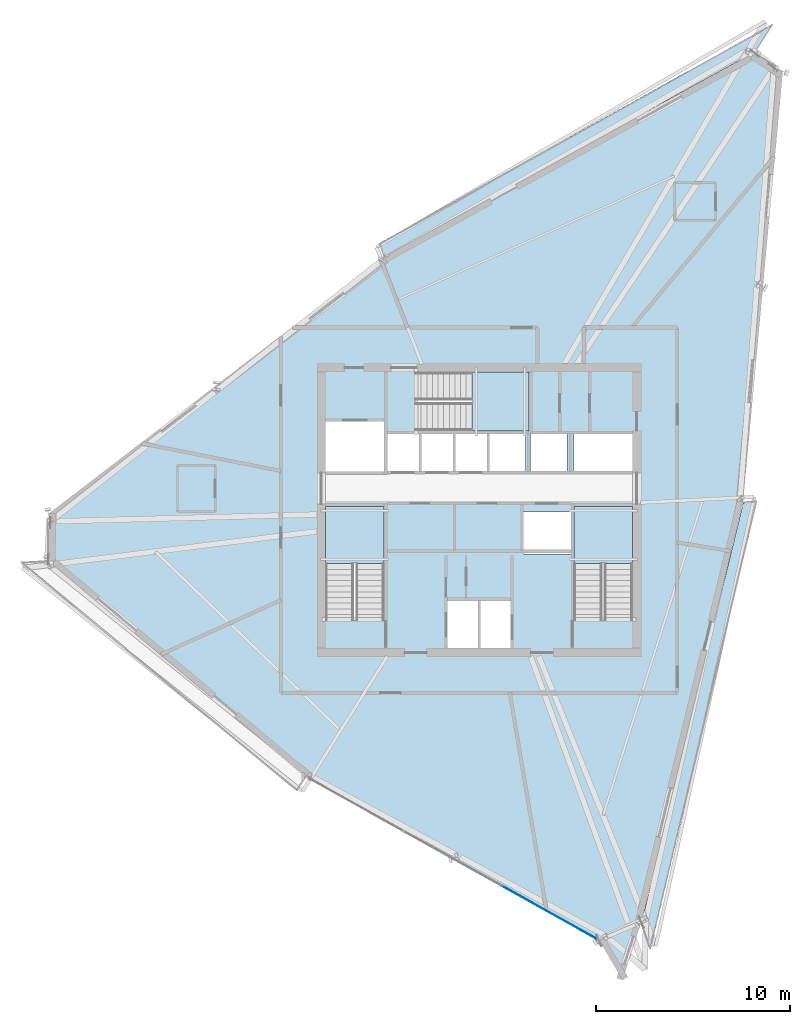
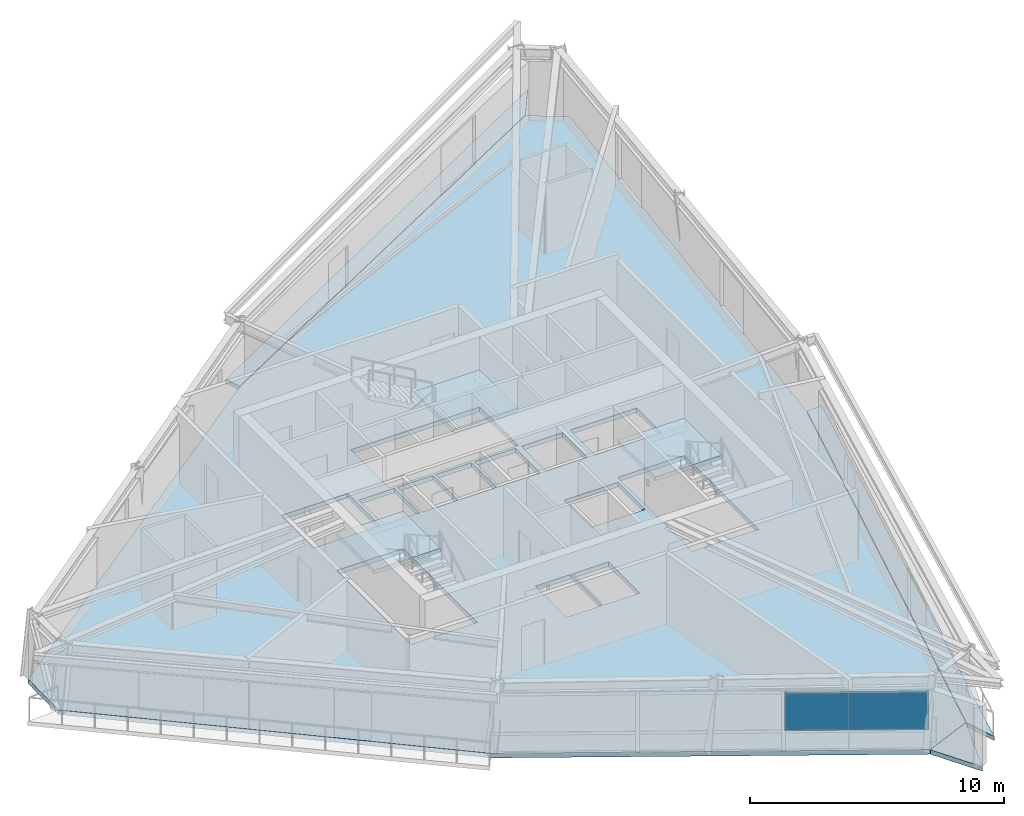
# One storey, part 5 of 13: 7 slabs, 1 plate, 4 elements without a shape of their own.
"""IFC4 building model written with IfcOpenShell, lengths in metres."""

from ifc_helpers import new_model, si_unit, direction, frame, origin, origin_2d, place, context, subcontext, project, spatial, polyline, rectangle, outline, extrude, source, transform, mapped, material, layer, layer_set, type_object, element, aggregate, save


model = new_model("IFC4")

# Units and contexts
model_context = context("Model", 3, precision=1e-05, world=origin(), true_north=direction((0.0, 1.0)))
body_context = subcontext(model_context, "Body", "Model", "MODEL_VIEW")
ifc_project = project(units=[si_unit("LENGTHUNIT", "METRE"), si_unit("AREAUNIT", "SQUARE_METRE"), si_unit("VOLUMEUNIT", "CUBIC_METRE"), si_unit("PLANEANGLEUNIT", "RADIAN"), si_unit("MASSUNIT", "GRAM", prefix="KILO")], contexts=[model_context])

# Site, building, storey
site_placement = place(None, origin())
site = spatial("IfcSite", under=ifc_project, at=site_placement, CompositionType="ELEMENT")
building_placement = place(site_placement, origin())
building = spatial("IfcBuilding", under=site, at=building_placement, Name="Olszyna Solenne Hotel", CompositionType="ELEMENT")
storey_placement = place(building_placement, frame((0.0, 0.0, 266.89990234375)))
storey = spatial("IfcBuildingStorey", under=building, at=storey_placement, Name="L71", CompositionType="ELEMENT", Elevation=266.89990234375)

# Stair, slab
ifc_material_1 = material(Name="Concrete C40/50", Category="concrete")
stair_type = type_object("IfcStairType", Name="STR-C1", PredefinedType="TWO_QUARTER_WINDING_STAIR", material=ifc_material_1)
stair_1_placement = place(storey_placement, origin())
stair_1 = element("IfcStair", 1, at=stair_1_placement, inside=storey, type_object=stair_type, Name="L71 ST1", PredefinedType="TWO_QUARTER_WINDING_STAIR")
ifc_layer_1 = layer(ifc_material_1, 0.18994140625, Name="Concrete C40/50")
ifc_layer_set_1 = layer_set([ifc_layer_1], Name="Concrete C40/50")
slab_type_1 = type_object("IfcSlabType", Name="SL-LN190", PredefinedType="LANDING", material=ifc_layer_set_1)
slab_1_placement = place(storey_placement, frame((0.0, 0.0, 1.60009765625)))
slab_1 = element("IfcSlab", 2, at=slab_1_placement, type_object=slab_type_1, Name="ST1 landing 1", PredefinedType="LANDING", context=body_context, shape_type="SweptSolid", body=[
    extrude(outline(polyline([(33.1201171875, 23.85009765625), (33.1201171875, 26.800048828125), (30.10009765625, 26.800048828125), (30.10009765625, 23.85009765625), (33.1201171875, 23.85009765625)])), origin(), (0.0, 0.0, 1.0), 0.199951171875),
])
aggregate(stair_1, [slab_1])

stair_2_placement = place(storey_placement, origin())
stair_2 = element("IfcStair", 3, at=stair_2_placement, inside=storey, type_object=stair_type, Name="L71 ST2", PredefinedType="TWO_QUARTER_WINDING_STAIR")
slab_2_placement = place(storey_placement, frame((0.0, 0.0, 1.60009765625)))
slab_2 = element("IfcSlab", 4, at=slab_2_placement, type_object=slab_type_1, Name="ST2 landing 1", PredefinedType="LANDING", context=body_context, shape_type="SweptSolid", body=[
    extrude(outline(polyline([(45.89990234375, 23.85009765625), (45.89990234375, 26.800048828125), (42.8798828125, 26.800048828125), (42.8798828125, 23.85009765625), (45.89990234375, 23.85009765625)])), origin(), (0.0, 0.0, 1.0), 0.199951171875),
])
aggregate(stair_2, [slab_2])

stair_3_placement = place(storey_placement, origin())
stair_3 = element("IfcStair", 5, at=stair_3_placement, inside=storey, type_object=stair_type, Name="L71 ST3", PredefinedType="TWO_QUARTER_WINDING_STAIR")
slab_3_placement = place(storey_placement, frame((0.0, 0.0, 1.60009765625)))
slab_3 = element("IfcSlab", 6, at=slab_3_placement, type_object=slab_type_1, Name="ST3 landing 1", PredefinedType="LANDING", context=body_context, shape_type="SweptSolid", body=[
    extrude(outline(polyline([(37.6298828125, 30.679931640625), (40.580078125, 30.679931640625), (40.580078125, 33.699951171875), (37.6298828125, 33.699951171875), (37.6298828125, 30.679931640625)])), origin(), (0.0, 0.0, 1.0), 0.199951171875),
])
aggregate(stair_3, [slab_3])

# Slabs
ifc_material_2 = material(Name="Precast concrete C45/55", Category="concrete")
ifc_layer_2 = layer(ifc_material_2, 0.199951171875, Name="Precast concrete C45/55")
ifc_layer_set_2 = layer_set([ifc_layer_2], Name="Precast concrete C45/55")
slab_type_2 = type_object("IfcSlabType", Name="SL-LOG200", PredefinedType="FLOOR", material=ifc_layer_set_2)
slab_4_placement = place(storey_placement, frame((0.0, 0.0, -0.199951171875)))
element("IfcSlab", 7, at=slab_4_placement, inside=storey, type_object=slab_type_2, Name="Exterior loggia balcony slab SL-L71-LG1", PredefinedType="FLOOR", context=body_context, shape_type="SweptSolid", body=[
    extrude(outline(polyline([(33.11669921875, 39.656005859375), (52.15087890625, 50.150634765625), (52.15234375, 50.1513671875), (52.15380859375, 50.15185546875), (52.155029296875, 50.152099609375), (52.156494140625, 50.15234375), (52.157958984375, 50.152587890625), (52.159423828125, 50.15234375), (52.160888671875, 50.152099609375), (52.162353515625, 50.15185546875), (52.163818359375, 50.1513671875), (52.1650390625, 50.15087890625), (52.166259765625, 50.150146484375), (53.125, 51.63330078125), (32.88037109375, 40.34814453125), (33.11669921875, 39.656005859375)])), origin(), (0.0, 0.0, 1.0), 0.199951171875),
])
slab_5_placement = place(storey_placement, frame((0.0, 0.0, -0.199951171875)))
element("IfcSlab", 8, at=slab_5_placement, inside=storey, type_object=slab_type_2, Name="Exterior loggia balcony slab SL-L71-LG3", PredefinedType="FLOOR", context=body_context, shape_type="SweptSolid", body=[
    extrude(outline(polyline([(51.600341796875, 27.017822265625), (51.60009765625, 27.015625), (51.599853515625, 27.013427734375), (46.35400390625, 5.38623046875), (46.353759765625, 5.385009765625), (46.34765625, 5.365966796875), (46.822265625, 3.976806640625), (52.31005859375, 27.058349609375), (51.600341796875, 27.017822265625)])), origin(), (0.0, 0.0, 1.0), 0.199951171875),
])
ifc_material_3 = material(Name="Concrete C50/60", Category="concrete")
ifc_layer_3 = layer(ifc_material_3, 0.219970703125, Name="Concrete C50/60")
ifc_layer_set_3 = layer_set([ifc_layer_3], Name="Concrete C50/60")
slab_type_3 = type_object("IfcSlabType", Name="SL-TW225", PredefinedType="FLOOR", material=ifc_layer_set_3)
slab_6_placement = place(storey_placement, frame((0.0, 0.0, -0.219970703125)))
element("IfcSlab", 9, at=slab_6_placement, inside=storey, type_object=slab_type_3, Name="Floor slab SL-TW225 SL-L71-01", PredefinedType="FLOOR", context=body_context, shape_type="SweptSolid", body=[
    extrude(outline(polyline([(53.628173828125, 49.177490234375), (52.158203125, 50.137451171875), (33.12158203125, 39.6416015625), (15.86083984375, 26.42724609375), (15.831298828125, 23.994140625), (29.0859375, 12.896728515625), (44.181884765625, 4.473876953125), (46.339599609375, 5.3896484375), (51.585205078125, 27.01708984375), (53.628173828125, 49.177490234375)]), holes=[polyline([(30.10009765625, 20.949951171875), (33.1201171875, 20.949951171875), (33.1201171875, 26.800048828125), (30.10009765625, 26.800048828125), (30.10009765625, 20.949951171875)]), polyline([(42.8798828125, 20.949951171875), (45.89990234375, 20.949951171875), (45.89990234375, 26.800048828125), (42.8798828125, 26.800048828125), (42.8798828125, 20.949951171875)]), polyline([(34.72998046875, 30.679931640625), (40.580078125, 30.679931640625), (40.580078125, 33.699951171875), (34.72998046875, 33.699951171875), (34.72998046875, 30.679931640625)]), polyline([(36.340087890625, 19.5), (37.9599609375, 19.5), (37.9599609375, 21.9599609375), (36.340087890625, 21.9599609375), (36.340087890625, 19.5)]), polyline([(38.0400390625, 19.5), (39.659912109375, 19.5), (39.659912109375, 21.9599609375), (38.0400390625, 21.9599609375), (38.0400390625, 19.5)]), polyline([(30.10009765625, 28.60009765625), (33.1201171875, 28.60009765625), (33.1201171875, 31.159912109375), (30.10009765625, 31.159912109375), (30.10009765625, 28.60009765625)]), polyline([(40.280029296875, 24.360107421875), (42.719970703125, 24.360107421875), (42.719970703125, 26.5), (40.280029296875, 26.5), (40.280029296875, 24.360107421875)]), polyline([(33.280029296875, 28.60009765625), (34.89990234375, 28.60009765625), (34.89990234375, 30.550048828125), (33.280029296875, 30.550048828125), (33.280029296875, 28.60009765625)]), polyline([(35.030029296875, 28.60009765625), (36.64990234375, 28.60009765625), (36.64990234375, 30.550048828125), (35.030029296875, 30.550048828125), (35.030029296875, 28.60009765625)]), polyline([(36.780029296875, 28.60009765625), (38.39990234375, 28.60009765625), (38.39990234375, 30.550048828125), (36.780029296875, 30.550048828125), (36.780029296875, 28.60009765625)]), polyline([(38.530029296875, 28.60009765625), (40.389892578125, 28.60009765625), (40.389892578125, 30.550048828125), (38.530029296875, 30.550048828125), (38.530029296875, 28.60009765625)]), polyline([(40.659912109375, 28.60009765625), (42.52001953125, 28.60009765625), (42.52001953125, 30.550048828125), (40.659912109375, 30.550048828125), (40.659912109375, 28.60009765625)]), polyline([(42.8798828125, 28.60009765625), (45.89990234375, 28.60009765625), (45.89990234375, 30.550048828125), (42.8798828125, 30.550048828125), (42.8798828125, 28.60009765625)])]), origin(), (0.0, 0.0, 1.0), 0.219970703125),
])
slab_7_placement = place(storey_placement, frame((0.0, 0.0, -0.219970703125)))
element("IfcSlab", 10, at=slab_7_placement, inside=storey, type_object=slab_type_3, Name="Faceted glass-prism floor slab SL-L71-PR", PredefinedType="FLOOR", context=body_context, shape_type="SweptSolid", body=[
    extrude(outline(polyline([(46.33544921875, 5.377197265625), (44.18701171875, 4.465087890625), (45.3818359375, 2.43017578125), (46.33544921875, 5.377197265625)])), origin(), (0.0, 0.0, 1.0), 0.219970703125),
])

# Curtain wall, plate
ifc_material_4 = material(Name="Anodised bronze aluminium", Category="aluminium")
curtain_wall_type = type_object("IfcCurtainWallType", Name="CW-SYS-4", PredefinedType="NOTDEFINED", material=ifc_material_4)
curtain_wall_placement = place(storey_placement, origin())
curtain_wall = element("IfcCurtainWall", 11, at=curtain_wall_placement, inside=storey, type_object=curtain_wall_type, Name="Unitised curtain wall CW-SYS-4 CW-L71-01", PredefinedType="NOTDEFINED")
ifc_material_5 = material(Name="Low-E triple glazing", Category="glass")
plate_type = type_object("IfcPlateType", Name="PN-GL1", PredefinedType="CURTAIN_PANEL", material=ifc_material_5)
shared_shape = source(origin(), body_context, "Body", "SweptSolid", [
    extrude(rectangle(XDim=5.664794921875, YDim=0.035888671875, at=origin_2d()), origin(), (0.0, 0.0, 1.0), 1.824462890625),
])
plate_placement = place(storey_placement, frame((41.65185546875, 5.885498046875, 0.982421875), z_axis=(0.0, 0.0, 1.0), x_axis=(0.873264906026, -0.487245732565, 0.0)))
plate = element("IfcPlate", 12, at=plate_placement, type_object=plate_type, Name="Curtain-wall panel PN-GL1 CP-L71-01-06", PredefinedType="CURTAIN_PANEL", context=body_context, shape_type="MappedRepresentation", body=[
    mapped(shared_shape, transform((0.0, 0.0, 0.0), x_axis=(1.0, 0.0, 0.0), y_axis=(0.0, 1.0, 0.0), z_axis=(0.0, 0.0, 1.0), scale=1.0)),
])
aggregate(curtain_wall, [plate])

save(model, "model.ifc")
